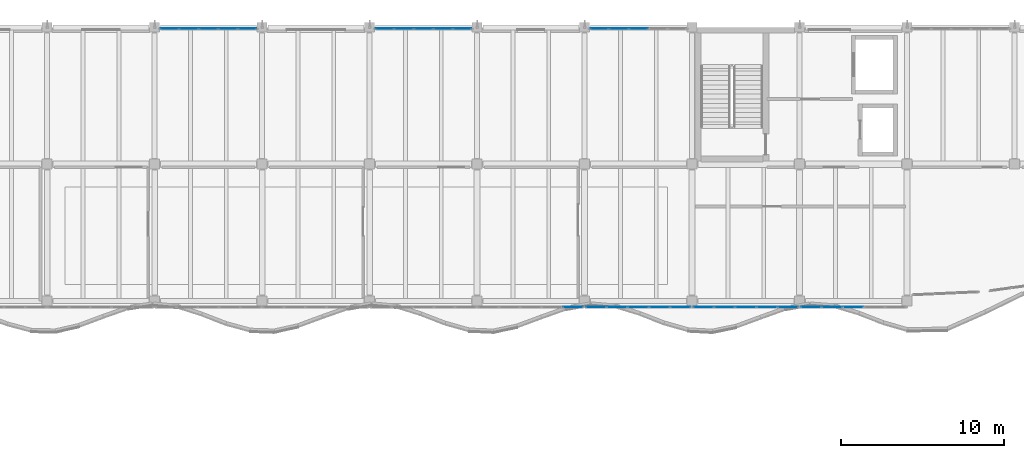
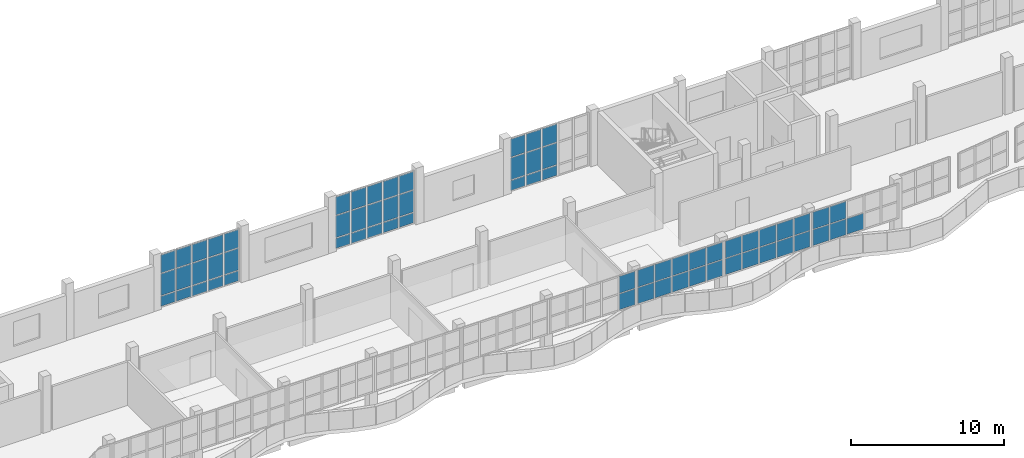
# One storey, part 36 of 76: 66 plates, 7 elements without a shape of their own.
"""IFC4 building model written with IfcOpenShell, lengths in metres."""

from ifc_helpers import new_model, si_unit, direction, frame, origin, origin_2d, place, context, subcontext, project, spatial, rectangle, extrude, material, layer, layer_set, type_object, element, aggregate, save


model = new_model("IFC4")

# Units and contexts
model_context = context("Model", 3, precision=1e-05, world=origin(), true_north=direction((0.0, 1.0)))
body_context = subcontext(model_context, "Body", "Model", "MODEL_VIEW")
ifc_project = project(units=[si_unit("LENGTHUNIT", "METRE"), si_unit("AREAUNIT", "SQUARE_METRE"), si_unit("VOLUMEUNIT", "CUBIC_METRE"), si_unit("PLANEANGLEUNIT", "RADIAN"), si_unit("MASSUNIT", "GRAM", prefix="KILO")], contexts=[model_context])

# Site, building, storey
site_placement = place(None, origin())
site = spatial("IfcSite", under=ifc_project, at=site_placement, CompositionType="ELEMENT")
building_placement = place(site_placement, origin())
building = spatial("IfcBuilding", under=site, at=building_placement, Name="Qaldarim Faculty of Natural and Applied Sciences", CompositionType="ELEMENT")
storey_placement = place(building_placement, frame((0.0, 0.0, 9.89990234375)))
storey = spatial("IfcBuildingStorey", under=building, at=storey_placement, Name="L02", CompositionType="ELEMENT", Elevation=9.89990234375)

# Curtain wall, plates
ifc_material_1 = material(Name="Anodised aluminium AW-6063", Category="aluminium")
curtain_wall_type_1 = type_object("IfcCurtainWallType", Name="CurtainWallSystem-M1200", PredefinedType="USERDEFINED", material=ifc_material_1)
curtain_wall_1_placement = place(storey_placement, origin())
curtain_wall_1 = element("IfcCurtainWall", 1, at=curtain_wall_1_placement, inside=storey, type_object=curtain_wall_type_1, Name="Curtain wall CW-L02-N-X11Y14", ObjectType="STICK CURTAIN WALL", PredefinedType="USERDEFINED")
ifc_material_2 = material(Name="Insulated low-e double glazing", Category="glass")
ifc_layer_1 = layer(ifc_material_2, 0.031982421875)
ifc_layer_set_1 = layer_set([ifc_layer_1], Name="Insulated low-e double glazing")
plate_type_1 = type_object("IfcPlateType", Name="SolarControlGlazingPanel-32", PredefinedType="CURTAIN_PANEL", material=ifc_layer_set_1)
plate_1_placement = place(storey_placement, frame((71.6865234375, 117.52001953125, 0.070068359375), z_axis=(0.0, 0.0, 1.0), x_axis=(-1.0, 0.0, 0.0)))
plate_1 = element("IfcPlate", 2, at=plate_1_placement, type_object=plate_type_1, Name="Glazed panel 1-1 of CW-L02-N-X11Y14", PredefinedType="CURTAIN_PANEL", context=body_context, shape_type="SweptSolid", body=[
    extrude(rectangle(XDim=1.096923828125, YDim=0.031982421875, at=origin_2d()), origin(), (0.0, 0.0, 1.0), 0.794921875),
])
plate_2_placement = place(storey_placement, frame((71.6865234375, 117.52001953125, 0.93505859375), z_axis=(0.0, 0.0, 1.0), x_axis=(-1.0, 0.0, 0.0)))
plate_2 = element("IfcPlate", 3, at=plate_2_placement, type_object=plate_type_1, Name="Glazed panel 1-2 of CW-L02-N-X11Y14", PredefinedType="CURTAIN_PANEL", context=body_context, shape_type="SweptSolid", body=[
    extrude(rectangle(XDim=1.096923828125, YDim=0.031982421875, at=origin_2d()), origin(), (0.0, 0.0, 1.0), 1.72998046875),
])
plate_3_placement = place(storey_placement, frame((71.6865234375, 117.52001953125, 2.735107421875), z_axis=(0.0, 0.0, 1.0), x_axis=(-1.0, 0.0, 0.0)))
plate_3 = element("IfcPlate", 4, at=plate_3_placement, type_object=plate_type_1, Name="Glazed panel 1-3 of CW-L02-N-X11Y14", PredefinedType="CURTAIN_PANEL", context=body_context, shape_type="SweptSolid", body=[
    extrude(rectangle(XDim=1.096923828125, YDim=0.031982421875, at=origin_2d()), origin(), (0.0, 0.0, 1.0), 1.43505859375),
])
plate_4_placement = place(storey_placement, frame((70.501953125, 117.52001953125, 0.070068359375), z_axis=(0.0, 0.0, 1.0), x_axis=(-1.0, 0.0, 0.0)))
plate_4 = element("IfcPlate", 5, at=plate_4_placement, type_object=plate_type_1, Name="Glazed panel 2-1 of CW-L02-N-X11Y14", PredefinedType="CURTAIN_PANEL", context=body_context, shape_type="SweptSolid", body=[
    extrude(rectangle(XDim=1.132080078125, YDim=0.031982421875, at=origin_2d()), origin(), (0.0, 0.0, 1.0), 0.794921875),
])
plate_5_placement = place(storey_placement, frame((70.501953125, 117.52001953125, 0.93505859375), z_axis=(0.0, 0.0, 1.0), x_axis=(-1.0, 0.0, 0.0)))
plate_5 = element("IfcPlate", 6, at=plate_5_placement, type_object=plate_type_1, Name="Glazed panel 2-2 of CW-L02-N-X11Y14", PredefinedType="CURTAIN_PANEL", context=body_context, shape_type="SweptSolid", body=[
    extrude(rectangle(XDim=1.132080078125, YDim=0.031982421875, at=origin_2d()), origin(), (0.0, 0.0, 1.0), 1.72998046875),
])
plate_6_placement = place(storey_placement, frame((70.501953125, 117.52001953125, 2.735107421875), z_axis=(0.0, 0.0, 1.0), x_axis=(-1.0, 0.0, 0.0)))
plate_6 = element("IfcPlate", 7, at=plate_6_placement, type_object=plate_type_1, Name="Glazed panel 2-3 of CW-L02-N-X11Y14", PredefinedType="CURTAIN_PANEL", context=body_context, shape_type="SweptSolid", body=[
    extrude(rectangle(XDim=1.132080078125, YDim=0.031982421875, at=origin_2d()), origin(), (0.0, 0.0, 1.0), 1.43505859375),
])
plate_7_placement = place(storey_placement, frame((69.300048828125, 117.52001953125, 0.070068359375), z_axis=(0.0, 0.0, 1.0), x_axis=(-1.0, 0.0, 0.0)))
plate_7 = element("IfcPlate", 8, at=plate_7_placement, type_object=plate_type_1, Name="Glazed panel 3-1 of CW-L02-N-X11Y14", PredefinedType="CURTAIN_PANEL", context=body_context, shape_type="SweptSolid", body=[
    extrude(rectangle(XDim=1.132080078125, YDim=0.031982421875, at=origin_2d()), origin(), (0.0, 0.0, 1.0), 0.794921875),
])
plate_8_placement = place(storey_placement, frame((69.300048828125, 117.52001953125, 0.93505859375), z_axis=(0.0, 0.0, 1.0), x_axis=(-1.0, 0.0, 0.0)))
plate_8 = element("IfcPlate", 9, at=plate_8_placement, type_object=plate_type_1, Name="Glazed panel 3-2 of CW-L02-N-X11Y14", PredefinedType="CURTAIN_PANEL", context=body_context, shape_type="SweptSolid", body=[
    extrude(rectangle(XDim=1.132080078125, YDim=0.031982421875, at=origin_2d()), origin(), (0.0, 0.0, 1.0), 1.72998046875),
])
plate_9_placement = place(storey_placement, frame((69.300048828125, 117.52001953125, 2.735107421875), z_axis=(0.0, 0.0, 1.0), x_axis=(-1.0, 0.0, 0.0)))
plate_9 = element("IfcPlate", 10, at=plate_9_placement, type_object=plate_type_1, Name="Glazed panel 3-3 of CW-L02-N-X11Y14", PredefinedType="CURTAIN_PANEL", context=body_context, shape_type="SweptSolid", body=[
    extrude(rectangle(XDim=1.132080078125, YDim=0.031982421875, at=origin_2d()), origin(), (0.0, 0.0, 1.0), 1.43505859375),
])
plate_10_placement = place(storey_placement, frame((68.097900390625, 117.52001953125, 0.070068359375), z_axis=(0.0, 0.0, 1.0), x_axis=(-1.0, 0.0, 0.0)))
plate_10 = element("IfcPlate", 11, at=plate_10_placement, type_object=plate_type_1, Name="Glazed panel 4-1 of CW-L02-N-X11Y14", PredefinedType="CURTAIN_PANEL", context=body_context, shape_type="SweptSolid", body=[
    extrude(rectangle(XDim=1.132080078125, YDim=0.031982421875, at=origin_2d()), origin(), (0.0, 0.0, 1.0), 0.794921875),
])
plate_11_placement = place(storey_placement, frame((68.097900390625, 117.52001953125, 0.93505859375), z_axis=(0.0, 0.0, 1.0), x_axis=(-1.0, 0.0, 0.0)))
plate_11 = element("IfcPlate", 12, at=plate_11_placement, type_object=plate_type_1, Name="Glazed panel 4-2 of CW-L02-N-X11Y14", PredefinedType="CURTAIN_PANEL", context=body_context, shape_type="SweptSolid", body=[
    extrude(rectangle(XDim=1.132080078125, YDim=0.031982421875, at=origin_2d()), origin(), (0.0, 0.0, 1.0), 1.72998046875),
])
plate_12_placement = place(storey_placement, frame((68.097900390625, 117.52001953125, 2.735107421875), z_axis=(0.0, 0.0, 1.0), x_axis=(-1.0, 0.0, 0.0)))
plate_12 = element("IfcPlate", 13, at=plate_12_placement, type_object=plate_type_1, Name="Glazed panel 4-3 of CW-L02-N-X11Y14", PredefinedType="CURTAIN_PANEL", context=body_context, shape_type="SweptSolid", body=[
    extrude(rectangle(XDim=1.132080078125, YDim=0.031982421875, at=origin_2d()), origin(), (0.0, 0.0, 1.0), 1.43505859375),
])
plate_13_placement = place(storey_placement, frame((66.91357421875, 117.52001953125, 0.070068359375), z_axis=(0.0, 0.0, 1.0), x_axis=(-1.0, 0.0, 0.0)))
plate_13 = element("IfcPlate", 14, at=plate_13_placement, type_object=plate_type_1, Name="Glazed panel 5-1 of CW-L02-N-X11Y14", PredefinedType="CURTAIN_PANEL", context=body_context, shape_type="SweptSolid", body=[
    extrude(rectangle(XDim=1.096923828125, YDim=0.031982421875, at=origin_2d()), origin(), (0.0, 0.0, 1.0), 0.794921875),
])
plate_14_placement = place(storey_placement, frame((66.91357421875, 117.52001953125, 0.93505859375), z_axis=(0.0, 0.0, 1.0), x_axis=(-1.0, 0.0, 0.0)))
plate_14 = element("IfcPlate", 15, at=plate_14_placement, type_object=plate_type_1, Name="Glazed panel 5-2 of CW-L02-N-X11Y14", PredefinedType="CURTAIN_PANEL", context=body_context, shape_type="SweptSolid", body=[
    extrude(rectangle(XDim=1.096923828125, YDim=0.031982421875, at=origin_2d()), origin(), (0.0, 0.0, 1.0), 1.72998046875),
])
plate_15_placement = place(storey_placement, frame((66.91357421875, 117.52001953125, 2.735107421875), z_axis=(0.0, 0.0, 1.0), x_axis=(-1.0, 0.0, 0.0)))
plate_15 = element("IfcPlate", 16, at=plate_15_placement, type_object=plate_type_1, Name="Glazed panel 5-3 of CW-L02-N-X11Y14", PredefinedType="CURTAIN_PANEL", context=body_context, shape_type="SweptSolid", body=[
    extrude(rectangle(XDim=1.096923828125, YDim=0.031982421875, at=origin_2d()), origin(), (0.0, 0.0, 1.0), 1.43505859375),
])
aggregate(curtain_wall_1, [plate_1, plate_2, plate_3, plate_4, plate_5, plate_6, plate_7, plate_8, plate_9, plate_10, plate_11, plate_12, plate_13, plate_14, plate_15])

curtain_wall_2_placement = place(storey_placement, origin())
curtain_wall_2 = element("IfcCurtainWall", 17, at=curtain_wall_2_placement, inside=storey, type_object=curtain_wall_type_1, Name="Curtain wall CW-L02-N-X13Y14", ObjectType="STICK CURTAIN WALL", PredefinedType="USERDEFINED")
plate_16_placement = place(storey_placement, frame((84.886474609375, 117.52001953125, 0.070068359375), z_axis=(0.0, 0.0, 1.0), x_axis=(-1.0, 0.0, 0.0)))
plate_16 = element("IfcPlate", 18, at=plate_16_placement, type_object=plate_type_1, Name="Glazed panel 1-1 of CW-L02-N-X13Y14", PredefinedType="CURTAIN_PANEL", context=body_context, shape_type="SweptSolid", body=[
    extrude(rectangle(XDim=1.096923828125, YDim=0.031982421875, at=origin_2d()), origin(), (0.0, 0.0, 1.0), 0.794921875),
])
plate_17_placement = place(storey_placement, frame((84.886474609375, 117.52001953125, 0.93505859375), z_axis=(0.0, 0.0, 1.0), x_axis=(-1.0, 0.0, 0.0)))
plate_17 = element("IfcPlate", 19, at=plate_17_placement, type_object=plate_type_1, Name="Glazed panel 1-2 of CW-L02-N-X13Y14", PredefinedType="CURTAIN_PANEL", context=body_context, shape_type="SweptSolid", body=[
    extrude(rectangle(XDim=1.096923828125, YDim=0.031982421875, at=origin_2d()), origin(), (0.0, 0.0, 1.0), 1.72998046875),
])
plate_18_placement = place(storey_placement, frame((84.886474609375, 117.52001953125, 2.735107421875), z_axis=(0.0, 0.0, 1.0), x_axis=(-1.0, 0.0, 0.0)))
plate_18 = element("IfcPlate", 20, at=plate_18_placement, type_object=plate_type_1, Name="Glazed panel 1-3 of CW-L02-N-X13Y14", PredefinedType="CURTAIN_PANEL", context=body_context, shape_type="SweptSolid", body=[
    extrude(rectangle(XDim=1.096923828125, YDim=0.031982421875, at=origin_2d()), origin(), (0.0, 0.0, 1.0), 1.43505859375),
])
plate_19_placement = place(storey_placement, frame((83.701904296875, 117.52001953125, 0.070068359375), z_axis=(0.0, 0.0, 1.0), x_axis=(-1.0, 0.0, 0.0)))
plate_19 = element("IfcPlate", 21, at=plate_19_placement, type_object=plate_type_1, Name="Glazed panel 2-1 of CW-L02-N-X13Y14", PredefinedType="CURTAIN_PANEL", context=body_context, shape_type="SweptSolid", body=[
    extrude(rectangle(XDim=1.132080078125, YDim=0.031982421875, at=origin_2d()), origin(), (0.0, 0.0, 1.0), 0.794921875),
])
plate_20_placement = place(storey_placement, frame((83.701904296875, 117.52001953125, 0.93505859375), z_axis=(0.0, 0.0, 1.0), x_axis=(-1.0, 0.0, 0.0)))
plate_20 = element("IfcPlate", 22, at=plate_20_placement, type_object=plate_type_1, Name="Glazed panel 2-2 of CW-L02-N-X13Y14", PredefinedType="CURTAIN_PANEL", context=body_context, shape_type="SweptSolid", body=[
    extrude(rectangle(XDim=1.132080078125, YDim=0.031982421875, at=origin_2d()), origin(), (0.0, 0.0, 1.0), 1.72998046875),
])
plate_21_placement = place(storey_placement, frame((83.701904296875, 117.52001953125, 2.735107421875), z_axis=(0.0, 0.0, 1.0), x_axis=(-1.0, 0.0, 0.0)))
plate_21 = element("IfcPlate", 23, at=plate_21_placement, type_object=plate_type_1, Name="Glazed panel 2-3 of CW-L02-N-X13Y14", PredefinedType="CURTAIN_PANEL", context=body_context, shape_type="SweptSolid", body=[
    extrude(rectangle(XDim=1.132080078125, YDim=0.031982421875, at=origin_2d()), origin(), (0.0, 0.0, 1.0), 1.43505859375),
])
plate_22_placement = place(storey_placement, frame((82.5, 117.52001953125, 0.070068359375), z_axis=(0.0, 0.0, 1.0), x_axis=(-1.0, 0.0, 0.0)))
plate_22 = element("IfcPlate", 24, at=plate_22_placement, type_object=plate_type_1, Name="Glazed panel 3-1 of CW-L02-N-X13Y14", PredefinedType="CURTAIN_PANEL", context=body_context, shape_type="SweptSolid", body=[
    extrude(rectangle(XDim=1.132080078125, YDim=0.031982421875, at=origin_2d()), origin(), (0.0, 0.0, 1.0), 0.794921875),
])
plate_23_placement = place(storey_placement, frame((82.5, 117.52001953125, 0.93505859375), z_axis=(0.0, 0.0, 1.0), x_axis=(-1.0, 0.0, 0.0)))
plate_23 = element("IfcPlate", 25, at=plate_23_placement, type_object=plate_type_1, Name="Glazed panel 3-2 of CW-L02-N-X13Y14", PredefinedType="CURTAIN_PANEL", context=body_context, shape_type="SweptSolid", body=[
    extrude(rectangle(XDim=1.132080078125, YDim=0.031982421875, at=origin_2d()), origin(), (0.0, 0.0, 1.0), 1.72998046875),
])
plate_24_placement = place(storey_placement, frame((82.5, 117.52001953125, 2.735107421875), z_axis=(0.0, 0.0, 1.0), x_axis=(-1.0, 0.0, 0.0)))
plate_24 = element("IfcPlate", 26, at=plate_24_placement, type_object=plate_type_1, Name="Glazed panel 3-3 of CW-L02-N-X13Y14", PredefinedType="CURTAIN_PANEL", context=body_context, shape_type="SweptSolid", body=[
    extrude(rectangle(XDim=1.132080078125, YDim=0.031982421875, at=origin_2d()), origin(), (0.0, 0.0, 1.0), 1.43505859375),
])
plate_25_placement = place(storey_placement, frame((81.298095703125, 117.52001953125, 0.070068359375), z_axis=(0.0, 0.0, 1.0), x_axis=(-1.0, 0.0, 0.0)))
plate_25 = element("IfcPlate", 27, at=plate_25_placement, type_object=plate_type_1, Name="Glazed panel 4-1 of CW-L02-N-X13Y14", PredefinedType="CURTAIN_PANEL", context=body_context, shape_type="SweptSolid", body=[
    extrude(rectangle(XDim=1.132080078125, YDim=0.031982421875, at=origin_2d()), origin(), (0.0, 0.0, 1.0), 0.794921875),
])
plate_26_placement = place(storey_placement, frame((81.298095703125, 117.52001953125, 0.93505859375), z_axis=(0.0, 0.0, 1.0), x_axis=(-1.0, 0.0, 0.0)))
plate_26 = element("IfcPlate", 28, at=plate_26_placement, type_object=plate_type_1, Name="Glazed panel 4-2 of CW-L02-N-X13Y14", PredefinedType="CURTAIN_PANEL", context=body_context, shape_type="SweptSolid", body=[
    extrude(rectangle(XDim=1.132080078125, YDim=0.031982421875, at=origin_2d()), origin(), (0.0, 0.0, 1.0), 1.72998046875),
])
plate_27_placement = place(storey_placement, frame((81.298095703125, 117.52001953125, 2.735107421875), z_axis=(0.0, 0.0, 1.0), x_axis=(-1.0, 0.0, 0.0)))
plate_27 = element("IfcPlate", 29, at=plate_27_placement, type_object=plate_type_1, Name="Glazed panel 4-3 of CW-L02-N-X13Y14", PredefinedType="CURTAIN_PANEL", context=body_context, shape_type="SweptSolid", body=[
    extrude(rectangle(XDim=1.132080078125, YDim=0.031982421875, at=origin_2d()), origin(), (0.0, 0.0, 1.0), 1.43505859375),
])
plate_28_placement = place(storey_placement, frame((80.113525390625, 117.52001953125, 0.070068359375), z_axis=(0.0, 0.0, 1.0), x_axis=(-1.0, 0.0, 0.0)))
plate_28 = element("IfcPlate", 30, at=plate_28_placement, type_object=plate_type_1, Name="Glazed panel 5-1 of CW-L02-N-X13Y14", PredefinedType="CURTAIN_PANEL", context=body_context, shape_type="SweptSolid", body=[
    extrude(rectangle(XDim=1.096923828125, YDim=0.031982421875, at=origin_2d()), origin(), (0.0, 0.0, 1.0), 0.794921875),
])
plate_29_placement = place(storey_placement, frame((80.113525390625, 117.52001953125, 0.93505859375), z_axis=(0.0, 0.0, 1.0), x_axis=(-1.0, 0.0, 0.0)))
plate_29 = element("IfcPlate", 31, at=plate_29_placement, type_object=plate_type_1, Name="Glazed panel 5-2 of CW-L02-N-X13Y14", PredefinedType="CURTAIN_PANEL", context=body_context, shape_type="SweptSolid", body=[
    extrude(rectangle(XDim=1.096923828125, YDim=0.031982421875, at=origin_2d()), origin(), (0.0, 0.0, 1.0), 1.72998046875),
])
plate_30_placement = place(storey_placement, frame((80.113525390625, 117.52001953125, 2.735107421875), z_axis=(0.0, 0.0, 1.0), x_axis=(-1.0, 0.0, 0.0)))
plate_30 = element("IfcPlate", 32, at=plate_30_placement, type_object=plate_type_1, Name="Glazed panel 5-3 of CW-L02-N-X13Y14", PredefinedType="CURTAIN_PANEL", context=body_context, shape_type="SweptSolid", body=[
    extrude(rectangle(XDim=1.096923828125, YDim=0.031982421875, at=origin_2d()), origin(), (0.0, 0.0, 1.0), 1.43505859375),
])
aggregate(curtain_wall_2, [plate_16, plate_17, plate_18, plate_19, plate_20, plate_21, plate_22, plate_23, plate_24, plate_25, plate_26, plate_27, plate_28, plate_29, plate_30])

curtain_wall_3_placement = place(storey_placement, origin())
curtain_wall_3 = element("IfcCurtainWall", 33, at=curtain_wall_3_placement, inside=storey, type_object=curtain_wall_type_1, Name="Curtain wall CW-L02-N-X15Y14", ObjectType="STICK CURTAIN WALL", PredefinedType="USERDEFINED")
plate_31_placement = place(storey_placement, frame((95.699951171875, 117.52001953125, 0.070068359375), z_axis=(0.0, 0.0, 1.0), x_axis=(-1.0, 0.0, 0.0)))
plate_31 = element("IfcPlate", 34, at=plate_31_placement, type_object=plate_type_1, Name="Glazed panel 3-1 of CW-L02-N-X15Y14", PredefinedType="CURTAIN_PANEL", context=body_context, shape_type="SweptSolid", body=[
    extrude(rectangle(XDim=1.132080078125, YDim=0.031982421875, at=origin_2d()), origin(), (0.0, 0.0, 1.0), 0.794921875),
])
plate_32_placement = place(storey_placement, frame((95.699951171875, 117.52001953125, 0.93505859375), z_axis=(0.0, 0.0, 1.0), x_axis=(-1.0, 0.0, 0.0)))
plate_32 = element("IfcPlate", 35, at=plate_32_placement, type_object=plate_type_1, Name="Glazed panel 3-2 of CW-L02-N-X15Y14", PredefinedType="CURTAIN_PANEL", context=body_context, shape_type="SweptSolid", body=[
    extrude(rectangle(XDim=1.132080078125, YDim=0.031982421875, at=origin_2d()), origin(), (0.0, 0.0, 1.0), 1.72998046875),
])
plate_33_placement = place(storey_placement, frame((95.699951171875, 117.52001953125, 2.735107421875), z_axis=(0.0, 0.0, 1.0), x_axis=(-1.0, 0.0, 0.0)))
plate_33 = element("IfcPlate", 36, at=plate_33_placement, type_object=plate_type_1, Name="Glazed panel 3-3 of CW-L02-N-X15Y14", PredefinedType="CURTAIN_PANEL", context=body_context, shape_type="SweptSolid", body=[
    extrude(rectangle(XDim=1.132080078125, YDim=0.031982421875, at=origin_2d()), origin(), (0.0, 0.0, 1.0), 1.43505859375),
])
plate_34_placement = place(storey_placement, frame((94.498046875, 117.52001953125, 0.070068359375), z_axis=(0.0, 0.0, 1.0), x_axis=(-1.0, 0.0, 0.0)))
plate_34 = element("IfcPlate", 37, at=plate_34_placement, type_object=plate_type_1, Name="Glazed panel 4-1 of CW-L02-N-X15Y14", PredefinedType="CURTAIN_PANEL", context=body_context, shape_type="SweptSolid", body=[
    extrude(rectangle(XDim=1.132080078125, YDim=0.031982421875, at=origin_2d()), origin(), (0.0, 0.0, 1.0), 0.794921875),
])
plate_35_placement = place(storey_placement, frame((94.498046875, 117.52001953125, 0.93505859375), z_axis=(0.0, 0.0, 1.0), x_axis=(-1.0, 0.0, 0.0)))
plate_35 = element("IfcPlate", 38, at=plate_35_placement, type_object=plate_type_1, Name="Glazed panel 4-2 of CW-L02-N-X15Y14", PredefinedType="CURTAIN_PANEL", context=body_context, shape_type="SweptSolid", body=[
    extrude(rectangle(XDim=1.132080078125, YDim=0.031982421875, at=origin_2d()), origin(), (0.0, 0.0, 1.0), 1.72998046875),
])
plate_36_placement = place(storey_placement, frame((94.498046875, 117.52001953125, 2.735107421875), z_axis=(0.0, 0.0, 1.0), x_axis=(-1.0, 0.0, 0.0)))
plate_36 = element("IfcPlate", 39, at=plate_36_placement, type_object=plate_type_1, Name="Glazed panel 4-3 of CW-L02-N-X15Y14", PredefinedType="CURTAIN_PANEL", context=body_context, shape_type="SweptSolid", body=[
    extrude(rectangle(XDim=1.132080078125, YDim=0.031982421875, at=origin_2d()), origin(), (0.0, 0.0, 1.0), 1.43505859375),
])
plate_37_placement = place(storey_placement, frame((93.3134765625, 117.52001953125, 0.070068359375), z_axis=(0.0, 0.0, 1.0), x_axis=(-1.0, 0.0, 0.0)))
plate_37 = element("IfcPlate", 40, at=plate_37_placement, type_object=plate_type_1, Name="Glazed panel 5-1 of CW-L02-N-X15Y14", PredefinedType="CURTAIN_PANEL", context=body_context, shape_type="SweptSolid", body=[
    extrude(rectangle(XDim=1.096923828125, YDim=0.031982421875, at=origin_2d()), origin(), (0.0, 0.0, 1.0), 0.794921875),
])
plate_38_placement = place(storey_placement, frame((93.3134765625, 117.52001953125, 0.93505859375), z_axis=(0.0, 0.0, 1.0), x_axis=(-1.0, 0.0, 0.0)))
plate_38 = element("IfcPlate", 41, at=plate_38_placement, type_object=plate_type_1, Name="Glazed panel 5-2 of CW-L02-N-X15Y14", PredefinedType="CURTAIN_PANEL", context=body_context, shape_type="SweptSolid", body=[
    extrude(rectangle(XDim=1.096923828125, YDim=0.031982421875, at=origin_2d()), origin(), (0.0, 0.0, 1.0), 1.72998046875),
])
plate_39_placement = place(storey_placement, frame((93.3134765625, 117.52001953125, 2.735107421875), z_axis=(0.0, 0.0, 1.0), x_axis=(-1.0, 0.0, 0.0)))
plate_39 = element("IfcPlate", 42, at=plate_39_placement, type_object=plate_type_1, Name="Glazed panel 5-3 of CW-L02-N-X15Y14", PredefinedType="CURTAIN_PANEL", context=body_context, shape_type="SweptSolid", body=[
    extrude(rectangle(XDim=1.096923828125, YDim=0.031982421875, at=origin_2d()), origin(), (0.0, 0.0, 1.0), 1.43505859375),
])
aggregate(curtain_wall_3, [plate_31, plate_32, plate_33, plate_34, plate_35, plate_36, plate_37, plate_38, plate_39])

curtain_wall_type_2 = type_object("IfcCurtainWallType", Name="CurtainWallSystem-M1400", PredefinedType="USERDEFINED", material=ifc_material_1)
curtain_wall_4_placement = place(storey_placement, origin())
curtain_wall_4 = element("IfcCurtainWall", 43, at=curtain_wall_4_placement, inside=storey, type_object=curtain_wall_type_2, Name="Curtain wall CW-V4RIB-L02-X14", ObjectType="STICK CURTAIN WALL", PredefinedType="USERDEFINED")
ifc_layer_2 = layer(ifc_material_2, 0.028076171875)
ifc_layer_set_2 = layer_set([ifc_layer_2], Name="Insulated low-e double glazing")
plate_type_2 = type_object("IfcPlateType", Name="VisionGlazingPanel-28", PredefinedType="CURTAIN_PANEL", material=ifc_layer_set_2)
plate_40_placement = place(storey_placement, frame((91.693115234375, 100.419921875, 1.51025390625), z_axis=(0.0, 0.0, 1.0), x_axis=(1.0, 0.0, 0.0)))
plate_40 = element("IfcPlate", 44, at=plate_40_placement, type_object=plate_type_2, Name="Glazed panel 5-1 of CW-V4RIB-L02-X14", PredefinedType="CURTAIN_PANEL", context=body_context, shape_type="SweptSolid", body=[
    extrude(rectangle(XDim=1.214111328125, YDim=0.028076171875, at=origin_2d()), origin(), (0.0, 0.0, 1.0), 1.260009765625),
])
plate_41_placement = place(storey_placement, frame((91.693115234375, 100.419921875, 2.830078125), z_axis=(0.0, 0.0, 1.0), x_axis=(1.0, 0.0, 0.0)))
plate_41 = element("IfcPlate", 45, at=plate_41_placement, type_object=plate_type_2, Name="Glazed panel 5-2 of CW-V4RIB-L02-X14", PredefinedType="CURTAIN_PANEL", context=body_context, shape_type="SweptSolid", body=[
    extrude(rectangle(XDim=1.214111328125, YDim=0.028076171875, at=origin_2d()), origin(), (0.0, 0.0, 1.0), 1.35009765625),
])
aggregate(curtain_wall_4, [plate_40, plate_41])

curtain_wall_5_placement = place(storey_placement, origin())
curtain_wall_5 = element("IfcCurtainWall", 46, at=curtain_wall_5_placement, inside=storey, type_object=curtain_wall_type_2, Name="Curtain wall CW-V4RIB-L02-X15", ObjectType="STICK CURTAIN WALL", PredefinedType="USERDEFINED")
plate_42_placement = place(storey_placement, frame((93.10693359375, 100.419921875, 1.51025390625), z_axis=(0.0, 0.0, 1.0), x_axis=(1.0, 0.0, 0.0)))
plate_42 = element("IfcPlate", 47, at=plate_42_placement, type_object=plate_type_2, Name="Glazed panel 1-1 of CW-V4RIB-L02-X15", PredefinedType="CURTAIN_PANEL", context=body_context, shape_type="SweptSolid", body=[
    extrude(rectangle(XDim=1.214111328125, YDim=0.028076171875, at=origin_2d()), origin(), (0.0, 0.0, 1.0), 1.260009765625),
])
plate_43_placement = place(storey_placement, frame((93.10693359375, 100.419921875, 2.830078125), z_axis=(0.0, 0.0, 1.0), x_axis=(1.0, 0.0, 0.0)))
plate_43 = element("IfcPlate", 48, at=plate_43_placement, type_object=plate_type_2, Name="Glazed panel 1-2 of CW-V4RIB-L02-X15", PredefinedType="CURTAIN_PANEL", context=body_context, shape_type="SweptSolid", body=[
    extrude(rectangle(XDim=1.214111328125, YDim=0.028076171875, at=origin_2d()), origin(), (0.0, 0.0, 1.0), 1.35009765625),
])
plate_44_placement = place(storey_placement, frame((94.39599609375, 100.419921875, 1.51025390625), z_axis=(0.0, 0.0, 1.0), x_axis=(1.0, 0.0, 0.0)))
plate_44 = element("IfcPlate", 49, at=plate_44_placement, type_object=plate_type_2, Name="Glazed panel 2-1 of CW-V4RIB-L02-X15", PredefinedType="CURTAIN_PANEL", context=body_context, shape_type="SweptSolid", body=[
    extrude(rectangle(XDim=1.243896484375, YDim=0.028076171875, at=origin_2d()), origin(), (0.0, 0.0, 1.0), 1.260009765625),
])
plate_45_placement = place(storey_placement, frame((94.39599609375, 100.419921875, 2.830078125), z_axis=(0.0, 0.0, 1.0), x_axis=(1.0, 0.0, 0.0)))
plate_45 = element("IfcPlate", 50, at=plate_45_placement, type_object=plate_type_2, Name="Glazed panel 2-2 of CW-V4RIB-L02-X15", PredefinedType="CURTAIN_PANEL", context=body_context, shape_type="SweptSolid", body=[
    extrude(rectangle(XDim=1.243896484375, YDim=0.028076171875, at=origin_2d()), origin(), (0.0, 0.0, 1.0), 1.35009765625),
])
plate_46_placement = place(storey_placement, frame((95.699951171875, 100.419921875, 1.51025390625), z_axis=(0.0, 0.0, 1.0), x_axis=(1.0, 0.0, 0.0)))
plate_46 = element("IfcPlate", 51, at=plate_46_placement, type_object=plate_type_2, Name="Glazed panel 3-1 of CW-V4RIB-L02-X15", PredefinedType="CURTAIN_PANEL", context=body_context, shape_type="SweptSolid", body=[
    extrude(rectangle(XDim=1.243896484375, YDim=0.028076171875, at=origin_2d()), origin(), (0.0, 0.0, 1.0), 1.260009765625),
])
plate_47_placement = place(storey_placement, frame((95.699951171875, 100.419921875, 2.830078125), z_axis=(0.0, 0.0, 1.0), x_axis=(1.0, 0.0, 0.0)))
plate_47 = element("IfcPlate", 52, at=plate_47_placement, type_object=plate_type_2, Name="Glazed panel 3-2 of CW-V4RIB-L02-X15", PredefinedType="CURTAIN_PANEL", context=body_context, shape_type="SweptSolid", body=[
    extrude(rectangle(XDim=1.243896484375, YDim=0.028076171875, at=origin_2d()), origin(), (0.0, 0.0, 1.0), 1.35009765625),
])
plate_48_placement = place(storey_placement, frame((97.00390625, 100.419921875, 1.51025390625), z_axis=(0.0, 0.0, 1.0), x_axis=(1.0, 0.0, 0.0)))
plate_48 = element("IfcPlate", 53, at=plate_48_placement, type_object=plate_type_2, Name="Glazed panel 4-1 of CW-V4RIB-L02-X15", PredefinedType="CURTAIN_PANEL", context=body_context, shape_type="SweptSolid", body=[
    extrude(rectangle(XDim=1.243896484375, YDim=0.028076171875, at=origin_2d()), origin(), (0.0, 0.0, 1.0), 1.260009765625),
])
plate_49_placement = place(storey_placement, frame((97.00390625, 100.419921875, 2.830078125), z_axis=(0.0, 0.0, 1.0), x_axis=(1.0, 0.0, 0.0)))
plate_49 = element("IfcPlate", 54, at=plate_49_placement, type_object=plate_type_2, Name="Glazed panel 4-2 of CW-V4RIB-L02-X15", PredefinedType="CURTAIN_PANEL", context=body_context, shape_type="SweptSolid", body=[
    extrude(rectangle(XDim=1.243896484375, YDim=0.028076171875, at=origin_2d()), origin(), (0.0, 0.0, 1.0), 1.35009765625),
])
plate_50_placement = place(storey_placement, frame((98.29296875, 100.419921875, 1.51025390625), z_axis=(0.0, 0.0, 1.0), x_axis=(1.0, 0.0, 0.0)))
plate_50 = element("IfcPlate", 55, at=plate_50_placement, type_object=plate_type_2, Name="Glazed panel 5-1 of CW-V4RIB-L02-X15", PredefinedType="CURTAIN_PANEL", context=body_context, shape_type="SweptSolid", body=[
    extrude(rectangle(XDim=1.214111328125, YDim=0.028076171875, at=origin_2d()), origin(), (0.0, 0.0, 1.0), 1.260009765625),
])
plate_51_placement = place(storey_placement, frame((98.29296875, 100.419921875, 2.830078125), z_axis=(0.0, 0.0, 1.0), x_axis=(1.0, 0.0, 0.0)))
plate_51 = element("IfcPlate", 56, at=plate_51_placement, type_object=plate_type_2, Name="Glazed panel 5-2 of CW-V4RIB-L02-X15", PredefinedType="CURTAIN_PANEL", context=body_context, shape_type="SweptSolid", body=[
    extrude(rectangle(XDim=1.214111328125, YDim=0.028076171875, at=origin_2d()), origin(), (0.0, 0.0, 1.0), 1.35009765625),
])
aggregate(curtain_wall_5, [plate_42, plate_43, plate_44, plate_45, plate_46, plate_47, plate_48, plate_49, plate_50, plate_51])

curtain_wall_6_placement = place(storey_placement, origin())
curtain_wall_6 = element("IfcCurtainWall", 57, at=curtain_wall_6_placement, inside=storey, type_object=curtain_wall_type_2, Name="Curtain wall CW-V4RIB-L02-X16", ObjectType="STICK CURTAIN WALL", PredefinedType="USERDEFINED")
plate_52_placement = place(storey_placement, frame((99.70703125, 100.419921875, 1.51025390625), z_axis=(0.0, 0.0, 1.0), x_axis=(1.0, 0.0, 0.0)))
plate_52 = element("IfcPlate", 58, at=plate_52_placement, type_object=plate_type_2, Name="Glazed panel 1-1 of CW-V4RIB-L02-X16", PredefinedType="CURTAIN_PANEL", context=body_context, shape_type="SweptSolid", body=[
    extrude(rectangle(XDim=1.214111328125, YDim=0.028076171875, at=origin_2d()), origin(), (0.0, 0.0, 1.0), 1.260009765625),
])
plate_53_placement = place(storey_placement, frame((99.70703125, 100.419921875, 2.830078125), z_axis=(0.0, 0.0, 1.0), x_axis=(1.0, 0.0, 0.0)))
plate_53 = element("IfcPlate", 59, at=plate_53_placement, type_object=plate_type_2, Name="Glazed panel 1-2 of CW-V4RIB-L02-X16", PredefinedType="CURTAIN_PANEL", context=body_context, shape_type="SweptSolid", body=[
    extrude(rectangle(XDim=1.214111328125, YDim=0.028076171875, at=origin_2d()), origin(), (0.0, 0.0, 1.0), 1.35009765625),
])
plate_54_placement = place(storey_placement, frame((100.99609375, 100.419921875, 1.51025390625), z_axis=(0.0, 0.0, 1.0), x_axis=(1.0, 0.0, 0.0)))
plate_54 = element("IfcPlate", 60, at=plate_54_placement, type_object=plate_type_2, Name="Glazed panel 2-1 of CW-V4RIB-L02-X16", PredefinedType="CURTAIN_PANEL", context=body_context, shape_type="SweptSolid", body=[
    extrude(rectangle(XDim=1.243896484375, YDim=0.028076171875, at=origin_2d()), origin(), (0.0, 0.0, 1.0), 1.260009765625),
])
plate_55_placement = place(storey_placement, frame((100.99609375, 100.419921875, 2.830078125), z_axis=(0.0, 0.0, 1.0), x_axis=(1.0, 0.0, 0.0)))
plate_55 = element("IfcPlate", 61, at=plate_55_placement, type_object=plate_type_2, Name="Glazed panel 2-2 of CW-V4RIB-L02-X16", PredefinedType="CURTAIN_PANEL", context=body_context, shape_type="SweptSolid", body=[
    extrude(rectangle(XDim=1.243896484375, YDim=0.028076171875, at=origin_2d()), origin(), (0.0, 0.0, 1.0), 1.35009765625),
])
plate_56_placement = place(storey_placement, frame((102.300048828125, 100.419921875, 1.51025390625), z_axis=(0.0, 0.0, 1.0), x_axis=(1.0, 0.0, 0.0)))
plate_56 = element("IfcPlate", 62, at=plate_56_placement, type_object=plate_type_2, Name="Glazed panel 3-1 of CW-V4RIB-L02-X16", PredefinedType="CURTAIN_PANEL", context=body_context, shape_type="SweptSolid", body=[
    extrude(rectangle(XDim=1.243896484375, YDim=0.028076171875, at=origin_2d()), origin(), (0.0, 0.0, 1.0), 1.260009765625),
])
plate_57_placement = place(storey_placement, frame((102.300048828125, 100.419921875, 2.830078125), z_axis=(0.0, 0.0, 1.0), x_axis=(1.0, 0.0, 0.0)))
plate_57 = element("IfcPlate", 63, at=plate_57_placement, type_object=plate_type_2, Name="Glazed panel 3-2 of CW-V4RIB-L02-X16", PredefinedType="CURTAIN_PANEL", context=body_context, shape_type="SweptSolid", body=[
    extrude(rectangle(XDim=1.243896484375, YDim=0.028076171875, at=origin_2d()), origin(), (0.0, 0.0, 1.0), 1.35009765625),
])
plate_58_placement = place(storey_placement, frame((103.60400390625, 100.419921875, 1.51025390625), z_axis=(0.0, 0.0, 1.0), x_axis=(1.0, 0.0, 0.0)))
plate_58 = element("IfcPlate", 64, at=plate_58_placement, type_object=plate_type_2, Name="Glazed panel 4-1 of CW-V4RIB-L02-X16", PredefinedType="CURTAIN_PANEL", context=body_context, shape_type="SweptSolid", body=[
    extrude(rectangle(XDim=1.243896484375, YDim=0.028076171875, at=origin_2d()), origin(), (0.0, 0.0, 1.0), 1.260009765625),
])
plate_59_placement = place(storey_placement, frame((103.60400390625, 100.419921875, 2.830078125), z_axis=(0.0, 0.0, 1.0), x_axis=(1.0, 0.0, 0.0)))
plate_59 = element("IfcPlate", 65, at=plate_59_placement, type_object=plate_type_2, Name="Glazed panel 4-2 of CW-V4RIB-L02-X16", PredefinedType="CURTAIN_PANEL", context=body_context, shape_type="SweptSolid", body=[
    extrude(rectangle(XDim=1.243896484375, YDim=0.028076171875, at=origin_2d()), origin(), (0.0, 0.0, 1.0), 1.35009765625),
])
plate_60_placement = place(storey_placement, frame((104.89306640625, 100.419921875, 1.51025390625), z_axis=(0.0, 0.0, 1.0), x_axis=(1.0, 0.0, 0.0)))
plate_60 = element("IfcPlate", 66, at=plate_60_placement, type_object=plate_type_2, Name="Glazed panel 5-1 of CW-V4RIB-L02-X16", PredefinedType="CURTAIN_PANEL", context=body_context, shape_type="SweptSolid", body=[
    extrude(rectangle(XDim=1.214111328125, YDim=0.028076171875, at=origin_2d()), origin(), (0.0, 0.0, 1.0), 1.260009765625),
])
plate_61_placement = place(storey_placement, frame((104.89306640625, 100.419921875, 2.830078125), z_axis=(0.0, 0.0, 1.0), x_axis=(1.0, 0.0, 0.0)))
plate_61 = element("IfcPlate", 67, at=plate_61_placement, type_object=plate_type_2, Name="Glazed panel 5-2 of CW-V4RIB-L02-X16", PredefinedType="CURTAIN_PANEL", context=body_context, shape_type="SweptSolid", body=[
    extrude(rectangle(XDim=1.214111328125, YDim=0.028076171875, at=origin_2d()), origin(), (0.0, 0.0, 1.0), 1.35009765625),
])
aggregate(curtain_wall_6, [plate_52, plate_53, plate_54, plate_55, plate_56, plate_57, plate_58, plate_59, plate_60, plate_61])

curtain_wall_7_placement = place(storey_placement, origin())
curtain_wall_7 = element("IfcCurtainWall", 68, at=curtain_wall_7_placement, inside=storey, type_object=curtain_wall_type_2, Name="Curtain wall CW-V4RIB-L02-X17", ObjectType="STICK CURTAIN WALL", PredefinedType="USERDEFINED")
plate_62_placement = place(storey_placement, frame((106.306884765625, 100.419921875, 1.51025390625), z_axis=(0.0, 0.0, 1.0), x_axis=(1.0, 0.0, 0.0)))
plate_62 = element("IfcPlate", 69, at=plate_62_placement, type_object=plate_type_2, Name="Glazed panel 1-1 of CW-V4RIB-L02-X17", PredefinedType="CURTAIN_PANEL", context=body_context, shape_type="SweptSolid", body=[
    extrude(rectangle(XDim=1.214111328125, YDim=0.028076171875, at=origin_2d()), origin(), (0.0, 0.0, 1.0), 1.260009765625),
])
plate_63_placement = place(storey_placement, frame((106.306884765625, 100.419921875, 2.830078125), z_axis=(0.0, 0.0, 1.0), x_axis=(1.0, 0.0, 0.0)))
plate_63 = element("IfcPlate", 70, at=plate_63_placement, type_object=plate_type_2, Name="Glazed panel 1-2 of CW-V4RIB-L02-X17", PredefinedType="CURTAIN_PANEL", context=body_context, shape_type="SweptSolid", body=[
    extrude(rectangle(XDim=1.214111328125, YDim=0.028076171875, at=origin_2d()), origin(), (0.0, 0.0, 1.0), 1.35009765625),
])
plate_64_placement = place(storey_placement, frame((107.595947265625, 100.419921875, 1.51025390625), z_axis=(0.0, 0.0, 1.0), x_axis=(1.0, 0.0, 0.0)))
plate_64 = element("IfcPlate", 71, at=plate_64_placement, type_object=plate_type_2, Name="Glazed panel 2-1 of CW-V4RIB-L02-X17", PredefinedType="CURTAIN_PANEL", context=body_context, shape_type="SweptSolid", body=[
    extrude(rectangle(XDim=1.243896484375, YDim=0.028076171875, at=origin_2d()), origin(), (0.0, 0.0, 1.0), 1.260009765625),
])
plate_65_placement = place(storey_placement, frame((107.595947265625, 100.419921875, 2.830078125), z_axis=(0.0, 0.0, 1.0), x_axis=(1.0, 0.0, 0.0)))
plate_65 = element("IfcPlate", 72, at=plate_65_placement, type_object=plate_type_2, Name="Glazed panel 2-2 of CW-V4RIB-L02-X17", PredefinedType="CURTAIN_PANEL", context=body_context, shape_type="SweptSolid", body=[
    extrude(rectangle(XDim=1.243896484375, YDim=0.028076171875, at=origin_2d()), origin(), (0.0, 0.0, 1.0), 1.35009765625),
])
plate_66_placement = place(storey_placement, frame((108.89990234375, 100.419921875, 1.51025390625), z_axis=(0.0, 0.0, 1.0), x_axis=(1.0, 0.0, 0.0)))
plate_66 = element("IfcPlate", 73, at=plate_66_placement, type_object=plate_type_2, Name="Glazed panel 3-1 of CW-V4RIB-L02-X17", PredefinedType="CURTAIN_PANEL", context=body_context, shape_type="SweptSolid", body=[
    extrude(rectangle(XDim=1.243896484375, YDim=0.028076171875, at=origin_2d()), origin(), (0.0, 0.0, 1.0), 1.260009765625),
])
aggregate(curtain_wall_7, [plate_62, plate_63, plate_64, plate_65, plate_66])

save(model, "model.ifc")
